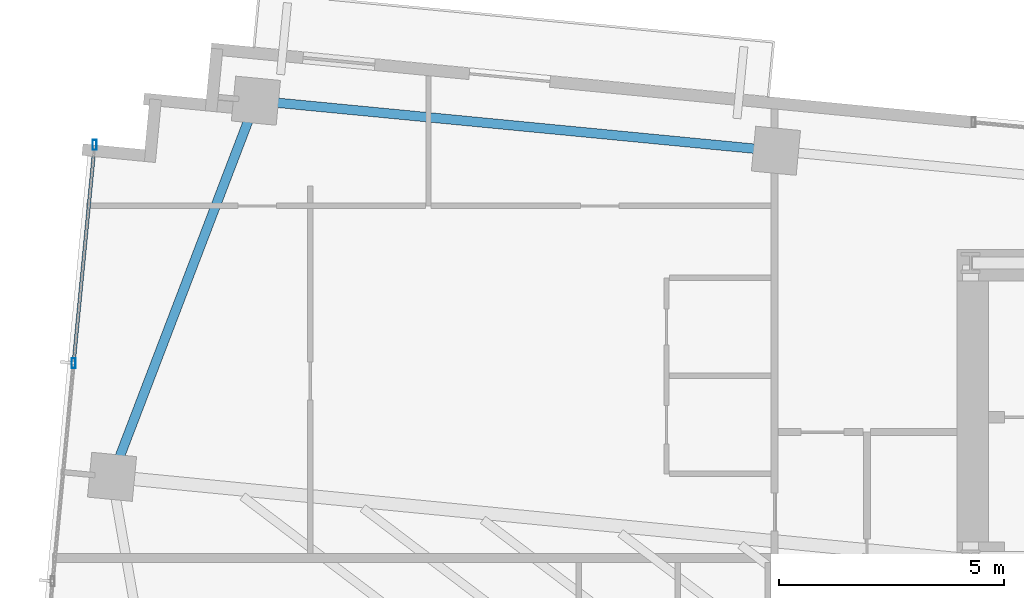
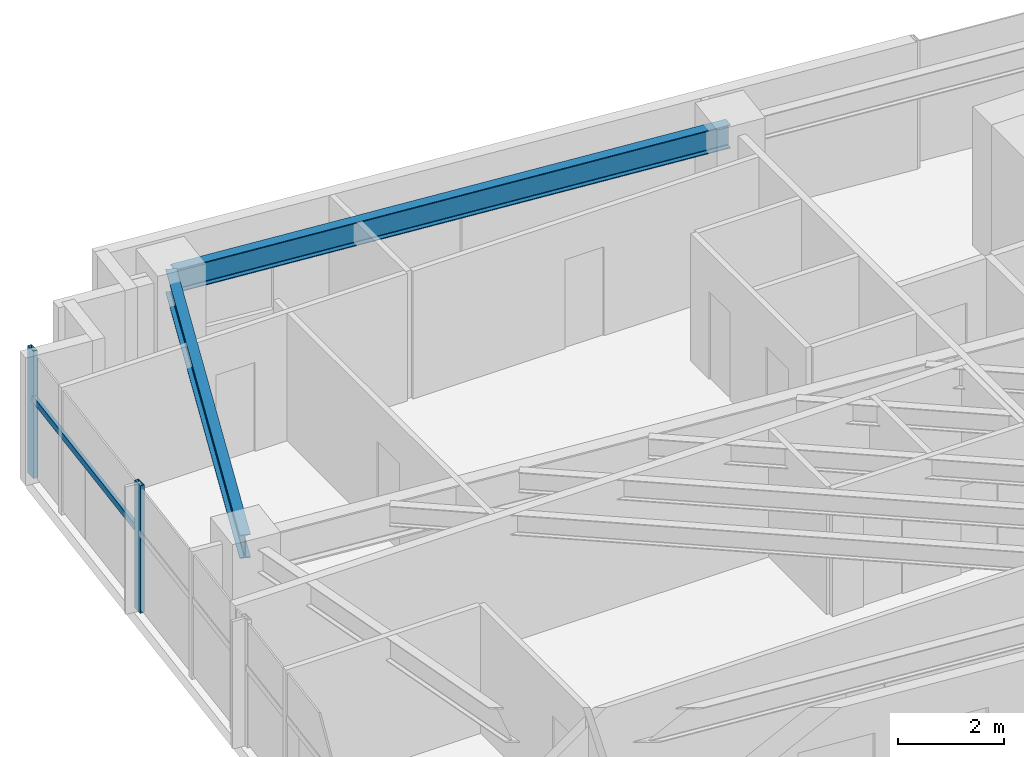
# One storey, part 6 of 20: 3 members, 2 beams, 1 element without a shape of its own.
"""IFC4 building model written with IfcOpenShell, lengths in metres."""

from ifc_helpers import new_model, si_unit, direction, frame, origin, origin_2d, place, context, subcontext, project, spatial, hollow_rectangle, i_section, extrude, source, transform, mapped, material, material_profile, profile_set, type_object, type_shapes, element, aggregate, save


model = new_model("IFC4")

# Units and contexts
model_context = context("Model", 3, precision=1e-05, world=origin(), true_north=direction((0.0, 1.0)))
body_context = subcontext(model_context, "Body", "Model", "MODEL_VIEW")
ifc_project = project(units=[si_unit("LENGTHUNIT", "METRE"), si_unit("AREAUNIT", "SQUARE_METRE"), si_unit("VOLUMEUNIT", "CUBIC_METRE"), si_unit("PLANEANGLEUNIT", "RADIAN"), si_unit("MASSUNIT", "GRAM", prefix="KILO")], contexts=[model_context])

# Site, building, storey
site_placement = place(None, origin())
site = spatial("IfcSite", under=ifc_project, at=site_placement, CompositionType="ELEMENT")
building_placement = place(site_placement, origin())
building = spatial("IfcBuilding", under=site, at=building_placement, Name="Astriad Promenade Condominiums", CompositionType="ELEMENT")
storey_placement = place(building_placement, frame((0.0, 0.0, 137.39990234375)))
storey = spatial("IfcBuildingStorey", under=building, at=storey_placement, Name="L39", CompositionType="ELEMENT", Elevation=137.39990234375)

# Beams
ifc_material_1 = material(Name="Steel ASTM A992 Grade 50", Category="steel")
ifc_material_profile_1 = material_profile(ifc_material_1, i_section(OverallWidth=0.210693359375, OverallDepth=0.53955078125, WebThickness=0.01171875, FlangeThickness=0.018798828125, FilletRadius=0.0166015625, at=origin_2d()), Name="W21X73")
ifc_profile_set_1 = profile_set([ifc_material_profile_1], Name="Steel ASTM A992 Grade 50")
beam_type = type_object("IfcBeamType", Name="STEEL SPANDREL BEAM W21X73", PredefinedType="SPANDREL", material=ifc_profile_set_1)
shared_shape_1 = source(origin(), body_context, "Body", "SweptSolid", [
    extrude(i_section(OverallWidth=0.210693359375, OverallDepth=0.53955078125, WebThickness=0.01171875, FlangeThickness=0.018798828125, FilletRadius=0.0166015625, at=origin_2d()), origin(), (0.0, 0.0, 1.0), 11.52001953125),
])
beam_1_placement = place(storey_placement, frame((22.039794921875, 26.495849609375, 2.67041015625), z_axis=(-0.9953953902, 0.095854145285, 0.0), x_axis=(-0.095854145285, -0.9953953902, 0.0)))
element("IfcBeam", 1, at=beam_1_placement, inside=storey, type_object=beam_type, Name="Perimeter Spandrel Beam SP-N1-L39", PredefinedType="SPANDREL", context=body_context, shape_type="MappedRepresentation", body=[
    mapped(shared_shape_1, transform((0.0, 0.0, 0.0), scale=1.0)),
])
shared_shape_2 = source(origin(), body_context, "Body", "SweptSolid", [
    extrude(i_section(OverallWidth=0.210693359375, OverallDepth=0.53955078125, WebThickness=0.01171875, FlangeThickness=0.018798828125, FilletRadius=0.0166015625, at=origin_2d()), origin(), (0.0, 0.0, 1.0), 8.862548828125),
])
type_shapes(beam_type, [shared_shape_1, shared_shape_2])
beam_2_placement = place(storey_placement, frame((10.518798828125, 27.56640625, 2.67041015625), z_axis=(-0.357322663703, -0.933981003021, 0.0), x_axis=(0.933981003021, -0.357322663703, 0.0)))
element("IfcBeam", 2, at=beam_2_placement, inside=storey, type_object=beam_type, Name="Perimeter Spandrel Beam SP-W2-L39", PredefinedType="SPANDREL", context=body_context, shape_type="MappedRepresentation", body=[
    mapped(shared_shape_2, transform((0.0, 0.0, 0.0), scale=1.0)),
])

# Curtain wall, members
ifc_material_2 = material(Name="Anodised aluminium Black Dark Glass Unitised", Category="aluminium")
curtain_wall_type = type_object("IfcCurtainWallType", Name="CW-B34-DARK", PredefinedType="USERDEFINED", material=ifc_material_2)
curtain_wall_placement = place(storey_placement, origin())
curtain_wall = element("IfcCurtainWall", 3, at=curtain_wall_placement, inside=storey, type_object=curtain_wall_type, Name="CW-L39-W", ObjectType="UNITISED_CURTAIN_WALL", PredefinedType="USERDEFINED")
ifc_material_3 = material(Name="Anodised aluminium 6063-T6 Black", Category="aluminium")
ifc_material_profile_2 = material_profile(ifc_material_3, hollow_rectangle(XDim=0.074951171875, YDim=0.14990234375, WallThickness=0.004150390625, at=origin_2d()), Name="ALU-TRN-75X150")
ifc_profile_set_2 = profile_set([ifc_material_profile_2], Name="Anodised aluminium 6063-T6 Black")
member_type_1 = type_object("IfcMemberType", Name="TRN-ALU-TRN-75X150", PredefinedType="USERDEFINED", material=ifc_profile_set_2)
shared_shape_3 = source(origin(), body_context, "Body", "SweptSolid", [
    extrude(hollow_rectangle(XDim=0.074951171875, YDim=0.14990234375, WallThickness=0.004150390625, at=origin_2d()), origin(), (0.0, 0.0, 1.0), 4.86669921875),
])
type_shapes(member_type_1, [shared_shape_3])
member_1_placement = place(storey_placement, frame((6.486083984375, 21.7783203125, 1.822998046875), z_axis=(0.095817554883, 0.995398913088, 0.0), x_axis=(-0.995398913088, 0.095817554883, 0.0)))
member_1 = element("IfcMember", 4, at=member_1_placement, type_object=member_type_1, Name="CW-L39-W-TRN-02-0", ObjectType="TRANSOM", PredefinedType="USERDEFINED", context=body_context, shape_type="MappedRepresentation", body=[
    mapped(shared_shape_3, transform((0.0, 0.0, 0.0), scale=1.0)),
])
ifc_material_profile_3 = material_profile(ifc_material_3, hollow_rectangle(XDim=0.0849609375, YDim=0.219970703125, WallThickness=0.0048828125, at=origin_2d()), Name="ALU-MUL-85X220")
ifc_profile_set_3 = profile_set([ifc_material_profile_3], Name="Anodised aluminium 6063-T6 Black")
member_type_2 = type_object("IfcMemberType", Name="MUL-ALU-MUL-85X220", PredefinedType="MULLION", material=ifc_profile_set_3)
shared_shape_4 = source(origin(), body_context, "Body", "SweptSolid", [
    extrude(hollow_rectangle(XDim=0.0849609375, YDim=0.219970703125, WallThickness=0.0048828125, at=origin_2d()), origin(), (0.0, 0.0, 1.0), 2.940185546875),
])
type_shapes(member_type_2, [shared_shape_4])
member_2_placement = place(storey_placement, frame((6.486083984375, 21.7783203125, 0.0), z_axis=(0.0, 0.0, 1.0), x_axis=(1.0, 0.0, 0.0)))
member_2 = element("IfcMember", 5, at=member_2_placement, type_object=member_type_2, Name="CW-L39-W-MUL-02", PredefinedType="MULLION", context=body_context, shape_type="MappedRepresentation", body=[
    mapped(shared_shape_4, transform((0.0, 0.0, 0.0), scale=1.0)),
])
member_3_placement = place(storey_placement, frame((6.952392578125, 26.62255859375, 0.0), z_axis=(0.0, 0.0, 1.0), x_axis=(1.0, 0.0, 0.0)))
member_3 = element("IfcMember", 6, at=member_3_placement, type_object=member_type_2, Name="CW-L39-W-MUL-03", PredefinedType="MULLION", context=body_context, shape_type="MappedRepresentation", body=[
    mapped(shared_shape_4, transform((0.0, 0.0, 0.0), scale=1.0)),
])
aggregate(curtain_wall, [member_2, member_3, member_1])

save(model, "model.ifc")
